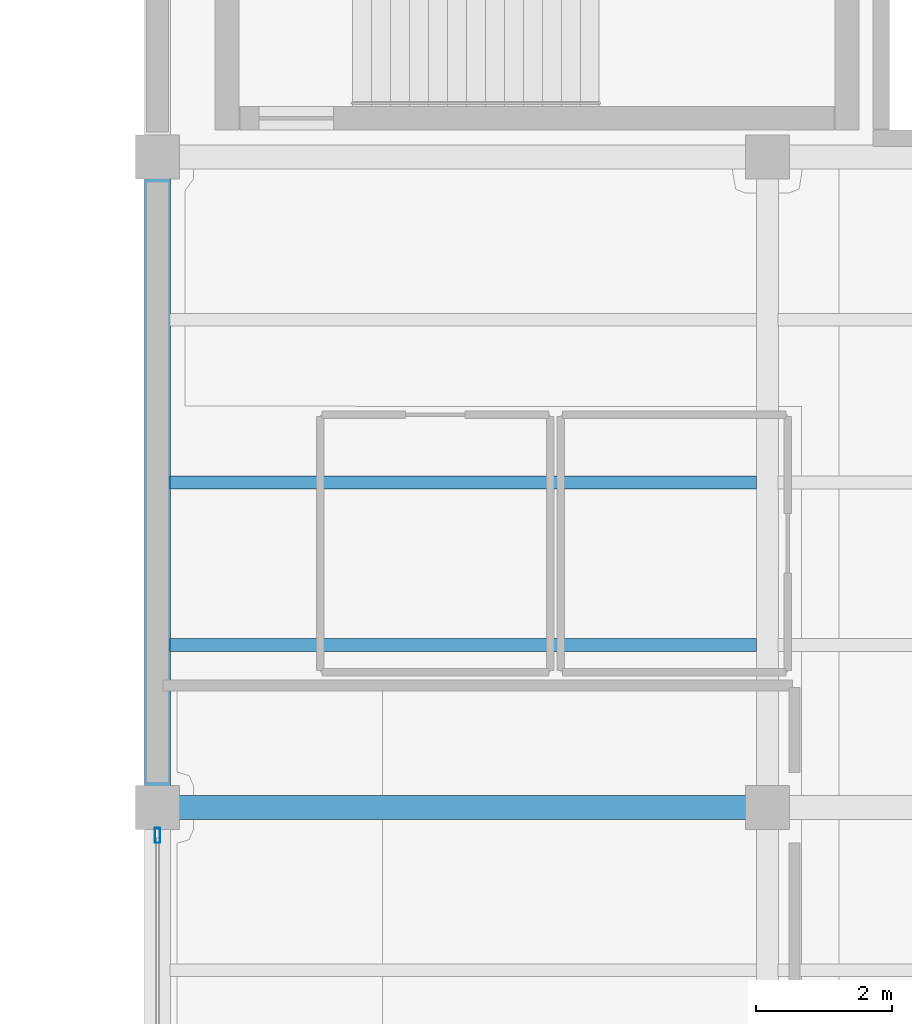
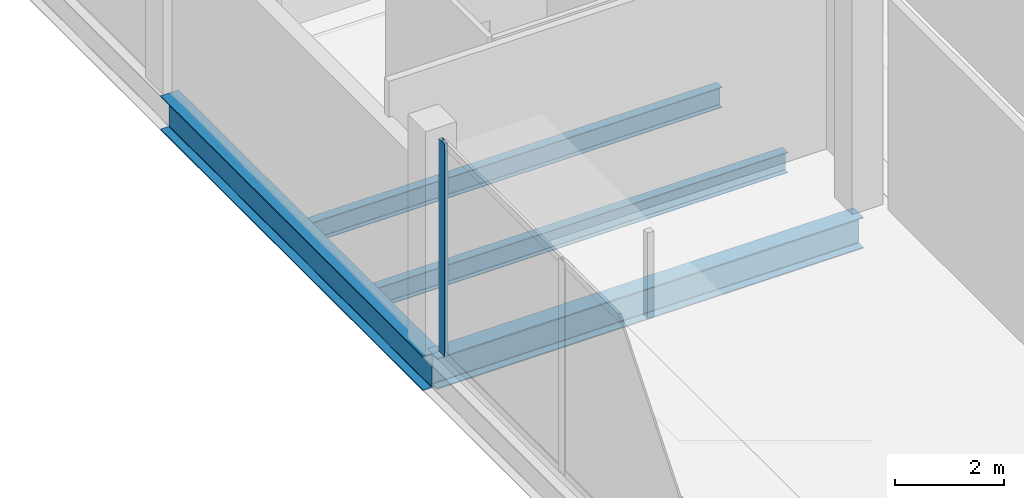
# One storey, part 13 of 46: 4 beams, 1 member, 1 element without a shape of its own.
"""IFC4 building model written with IfcOpenShell, lengths in metres."""

from ifc_helpers import new_model, si_unit, direction, frame, origin, origin_2d, place, context, subcontext, project, spatial, hollow_rectangle, i_section, extrude, material, layer, layer_set, material_profile, profile_set, type_object, element, aggregate, save


model = new_model("IFC4")

# Units and contexts
model_context = context("Model", 3, precision=1e-05, world=origin(), true_north=direction((0.0, 1.0)))
body_context = subcontext(model_context, "Body", "Model", "MODEL_VIEW")
ifc_project = project(units=[si_unit("LENGTHUNIT", "METRE"), si_unit("AREAUNIT", "SQUARE_METRE"), si_unit("VOLUMEUNIT", "CUBIC_METRE"), si_unit("PLANEANGLEUNIT", "RADIAN"), si_unit("MASSUNIT", "GRAM", prefix="KILO")], contexts=[model_context])

# Site, building, storey
site_placement = place(None, origin())
site = spatial("IfcSite", under=ifc_project, at=site_placement, CompositionType="ELEMENT")
building_placement = place(site_placement, origin())
building = spatial("IfcBuilding", under=site, at=building_placement, Name="Qorvath Tower", CompositionType="ELEMENT")
storey_placement = place(building_placement, frame((0.0, 0.0, 17.0)))
storey = spatial("IfcBuildingStorey", under=building, at=storey_placement, Name="L03", CompositionType="ELEMENT", Elevation=17.0)

# Beams
ifc_material_1 = material(Name="Steel ASTM A992 Grade 50", Category="steel")
ifc_material_profile_1 = material_profile(ifc_material_1, i_section(OverallWidth=0.381103515625, OverallDepth=0.77294921875, WebThickness=0.0166015625, FlangeThickness=0.027099609375, FilletRadius=0.01904296875, at=origin_2d()), Name="W30x173")
ifc_profile_set_1 = profile_set([ifc_material_profile_1], Name="Steel ASTM A992 Grade 50")
beam_type_1 = type_object("IfcBeamType", Name="BM-FG3", PredefinedType="BEAM", material=ifc_profile_set_1)
beam_1_placement = place(storey_placement, frame((32.39990234375, 19.199951171875, -0.646484375), z_axis=(0.0, 1.0, 0.0), x_axis=(-1.0, 0.0, 0.0)))
element("IfcBeam", 1, at=beam_1_placement, inside=storey, type_object=beam_type_1, Name="Library N-S Girder L03-1-7", PredefinedType="BEAM", context=body_context, shape_type="SweptSolid", body=[
    extrude(i_section(OverallWidth=0.381103515625, OverallDepth=0.77294921875, WebThickness=0.0166015625, FlangeThickness=0.027099609375, FilletRadius=0.01904296875, at=origin_2d()), origin(), (0.0, 0.0, 1.0), 9.60009765625),
])
ifc_material_2 = material(Name="Steel ASTM A992 Grade 50", Category="steel")
ifc_material_profile_2 = material_profile(ifc_material_2, i_section(OverallWidth=0.35595703125, OverallDepth=0.696044921875, WebThickness=0.015380859375, FlangeThickness=0.02490234375, FilletRadius=0.01806640625, at=origin_2d()), Name="W27x146")
ifc_profile_set_2 = profile_set([ifc_material_profile_2], Name="Steel ASTM A992 Grade 50")
beam_type_2 = type_object("IfcBeamType", Name="BM-FG4", PredefinedType="BEAM", material=ifc_profile_set_2)
beam_2_placement = place(storey_placement, frame((32.39990234375, 19.199951171875, -0.60791015625), z_axis=(1.0, 0.0, 0.0), x_axis=(0.0, 1.0, 0.0)))
element("IfcBeam", 2, at=beam_2_placement, inside=storey, type_object=beam_type_2, Name="Library E-W Girder L03-7-1", PredefinedType="BEAM", context=body_context, shape_type="SweptSolid", body=[
    extrude(i_section(OverallWidth=0.35595703125, OverallDepth=0.696044921875, WebThickness=0.015380859375, FlangeThickness=0.02490234375, FilletRadius=0.01806640625, at=origin_2d()), origin(), (0.0, 0.0, 1.0), 9.0),
])
ifc_material_3 = material(Name="Steel ASTM A992 Grade 50", Category="steel")
ifc_material_profile_3 = material_profile(ifc_material_3, i_section(OverallWidth=0.18994140625, OverallDepth=0.45703125, WebThickness=0.009033203125, FlangeThickness=0.014404296875, FilletRadius=0.011962890625, at=origin_2d()), Name="W18x50")
ifc_profile_set_3 = profile_set([ifc_material_profile_3], Name="Steel ASTM A992 Grade 50")
beam_type_3 = type_object("IfcBeamType", Name="BM-FJ2", PredefinedType="JOIST", material=ifc_profile_set_3)
for number, where, z_axis, x_axis, name in (
    (3, (32.58837890625, 21.60009765625, -0.488525390625), (1.0, 0.0, 0.0), (0.0, 1.0, 0.0), "Library Stack Joist L03-7.1-1"),
    (4, (32.58837890625, 24.0, -0.488525390625), (1.0, 0.0, 0.0), (0.0, 1.0, 0.0), "Library Stack Joist L03-7.2-1"),
):
    element("IfcBeam", number, at=place(storey_placement, frame(where, z_axis=z_axis, x_axis=x_axis)), inside=storey, type_object=beam_type_3, Name=name, PredefinedType="JOIST", context=body_context, shape_type="SweptSolid", body=[
        extrude(i_section(OverallWidth=0.18994140625, OverallDepth=0.45703125, WebThickness=0.009033203125, FlangeThickness=0.014404296875, FilletRadius=0.011962890625, at=origin_2d()), origin(), (0.0, 0.0, 1.0), 8.651123046875),
    ])

# Curtain wall, member
ifc_material_4 = material(Name="Anodised aluminium and triple low-E glass", Category="aluminium")
ifc_layer = layer(ifc_material_4, 0.179931640625)
ifc_layer_set = layer_set([ifc_layer], Name="CW-SYS-6")
curtain_wall_type = type_object("IfcCurtainWallType", Name="CW-SYS-6", PredefinedType="NOTDEFINED", material=ifc_layer_set)
curtain_wall_placement = place(storey_placement, origin())
curtain_wall = element("IfcCurtainWall", 5, at=curtain_wall_placement, inside=storey, type_object=curtain_wall_type, Name="Curtain Wall CW-6 CW-LIB-W-L03-6", PredefinedType="NOTDEFINED")
ifc_material_5 = material(Name="Anodised aluminium 6063-T6", Category="aluminium")
ifc_material_profile_4 = material_profile(ifc_material_5, hollow_rectangle(XDim=0.080078125, YDim=0.219970703125, WallThickness=0.00439453125, InnerFilletRadius=0.00439453125, OuterFilletRadius=0.009033203125, at=origin_2d()), Name="CWM LIB 220x80")
ifc_profile_set_4 = profile_set([ifc_material_profile_4], Name="Anodised aluminium 6063-T6")
member_type = type_object("IfcMemberType", Name="CWM-LIB", PredefinedType="MULLION", material=ifc_profile_set_4)
member_placement = place(storey_placement, frame((32.39990234375, 18.7900390625, 0.0), z_axis=(0.0, 0.0, 1.0), x_axis=(-1.0, 0.0, 0.0)))
member = element("IfcMember", 6, at=member_placement, type_object=member_type, Name="CW-6 mullion 3", PredefinedType="MULLION", context=body_context, shape_type="SweptSolid", body=[
    extrude(hollow_rectangle(XDim=0.080078125, YDim=0.219970703125, WallThickness=0.00439453125, InnerFilletRadius=0.00439453125, OuterFilletRadius=0.009033203125, at=origin_2d()), origin(), (0.0, 0.0, 1.0), 4.739990234375),
])
aggregate(curtain_wall, [member])

save(model, "model.ifc")
